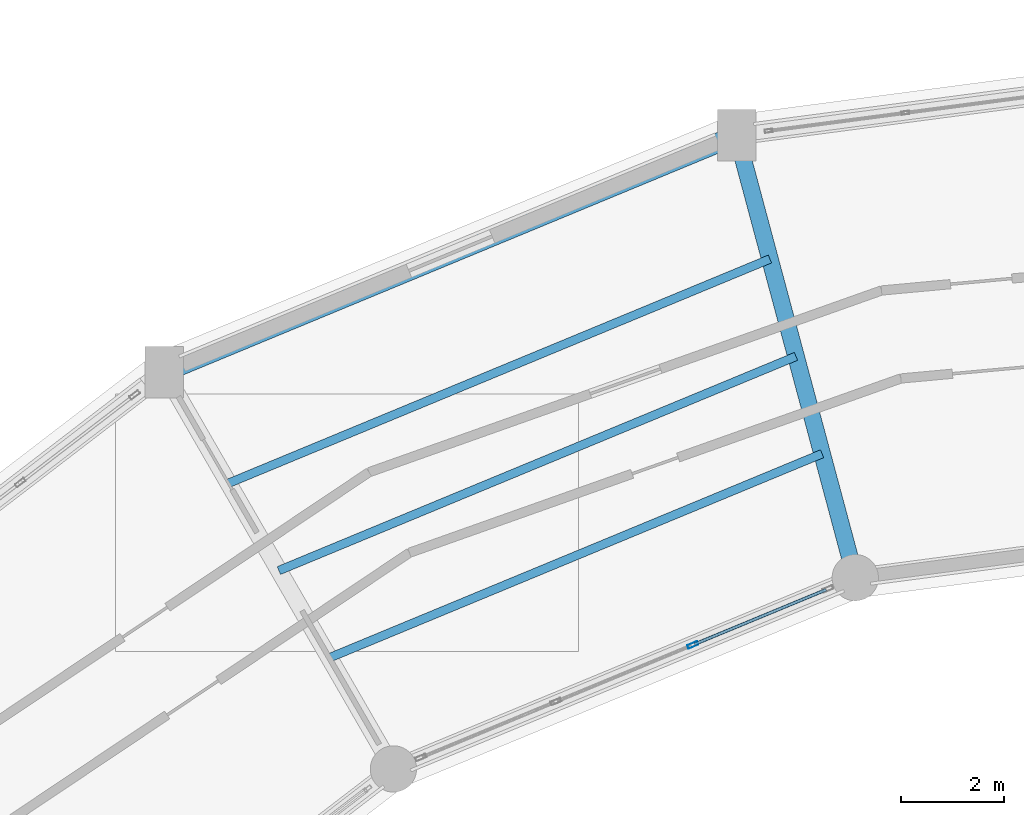
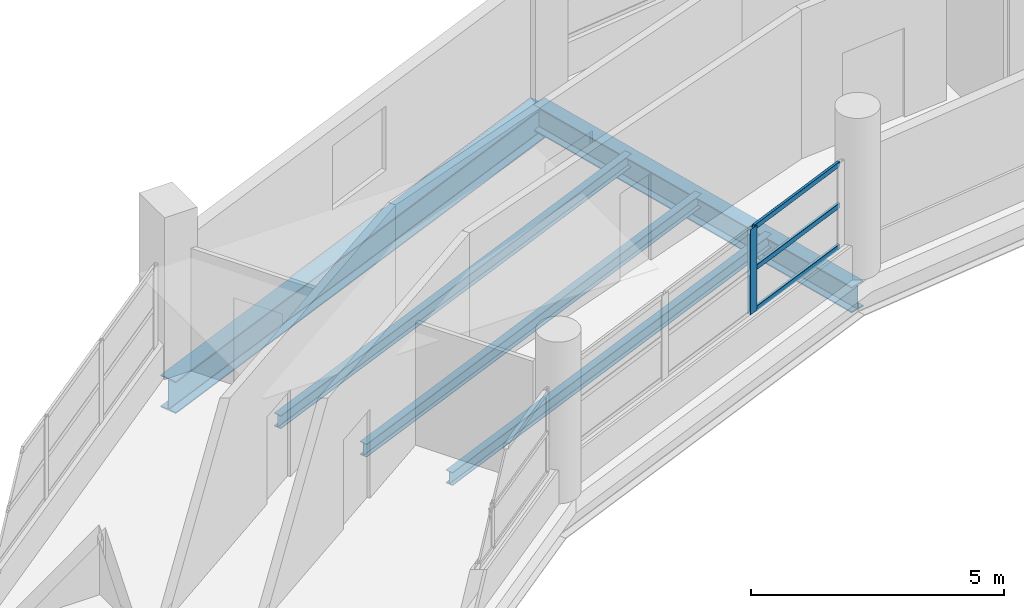
# One storey, part 65 of 108: 5 beams, 4 members, 1 element without a shape of its own.
"""IFC4 building model written with IfcOpenShell, lengths in metres."""

from ifc_helpers import new_model, si_unit, direction, frame, origin, origin_2d, place, context, subcontext, project, spatial, hollow_rectangle, i_section, extrude, material, layer, layer_set, material_profile, profile_set, type_object, element, aggregate, save


model = new_model("IFC4")

# Units and contexts
model_context = context("Model", 3, precision=1e-05, world=origin(), true_north=direction((0.0, 1.0)))
body_context = subcontext(model_context, "Body", "Model", "MODEL_VIEW")
ifc_project = project(units=[si_unit("LENGTHUNIT", "METRE"), si_unit("AREAUNIT", "SQUARE_METRE"), si_unit("VOLUMEUNIT", "CUBIC_METRE"), si_unit("PLANEANGLEUNIT", "RADIAN"), si_unit("MASSUNIT", "GRAM", prefix="KILO")], contexts=[model_context])

# Site, building, storey
site_placement = place(None, origin())
site = spatial("IfcSite", under=ifc_project, at=site_placement, CompositionType="ELEMENT")
building_placement = place(site_placement, origin())
building = spatial("IfcBuilding", under=site, at=building_placement, Name="Vespera Passage Community Centre", CompositionType="ELEMENT")
storey_placement = place(building_placement, frame((0.0, 0.0, 12.60009765625)))
storey = spatial("IfcBuildingStorey", under=building, at=storey_placement, Name="L03", CompositionType="ELEMENT", Elevation=12.60009765625)

# Beams
ifc_material_1 = material(Name="Steel ASTM A992 Grade 50", Category="steel")
ifc_material_profile_1 = material_profile(ifc_material_1, i_section(OverallWidth=0.32763671875, OverallDepth=0.62841796875, WebThickness=0.0166015625, FlangeThickness=0.027587890625, FilletRadius=0.0126953125, at=origin_2d()), Name="W24X146")
ifc_profile_set_1 = profile_set([ifc_material_profile_1], Name="Steel ASTM A992 Grade 50")
beam_type_1 = type_object("IfcBeamType", Name="BM-G-W24X146", PredefinedType="BEAM", material=ifc_profile_set_1)
beam_1_placement = place(storey_placement, frame((68.371826171875, 101.432373046875, -0.71435546875), z_axis=(-0.258811497245, 0.9659278487, 0.0), x_axis=(-0.9659278487, -0.258811497245, 0.0)))
element("IfcBeam", 1, at=beam_1_placement, inside=storey, type_object=beam_type_1, Name="V4 L03 Radial Girder 7", PredefinedType="BEAM", context=body_context, shape_type="SweptSolid", body=[
    extrude(i_section(OverallWidth=0.32763671875, OverallDepth=0.62841796875, WebThickness=0.0166015625, FlangeThickness=0.027587890625, FilletRadius=0.0126953125, at=origin_2d()), origin(), (0.0, 0.0, 1.0), 8.900146484375),
])
ifc_material_2 = material(Name="Steel ASTM A992 Grade 50", Category="steel")
ifc_material_profile_2 = material_profile(ifc_material_2, i_section(OverallWidth=0.16650390625, OverallDepth=0.3173828125, WebThickness=0.007568359375, FlangeThickness=0.01318359375, FilletRadius=0.007568359375, at=origin_2d()), Name="W12X35")
ifc_profile_set_2 = profile_set([ifc_material_profile_2], Name="Steel ASTM A992 Grade 50")
beam_type_2 = type_object("IfcBeamType", Name="BM-J-W12X35", PredefinedType="JOIST", material=ifc_profile_set_2)
beam_2_placement = place(storey_placement, frame((67.726806640625, 103.839599609375, -0.558837890625), z_axis=(-0.923873815861, -0.382697233288, 0.0), x_axis=(0.382697233288, -0.923873815861, 0.0)))
element("IfcBeam", 2, at=beam_2_placement, inside=storey, type_object=beam_type_2, Name="V4 L03 Floor Joist 7.1", PredefinedType="JOIST", context=body_context, shape_type="SweptSolid", body=[
    extrude(i_section(OverallWidth=0.16650390625, OverallDepth=0.3173828125, WebThickness=0.007568359375, FlangeThickness=0.01318359375, FilletRadius=0.007568359375, at=origin_2d()), origin(), (0.0, 0.0, 1.0), 10.361572265625),
])
beam_3_placement = place(storey_placement, frame((67.22021484375, 105.730712890625, -0.558837890625), z_axis=(-0.923886018589, -0.382667773212, 0.0), x_axis=(0.382667773212, -0.923886018589, 0.0)))
element("IfcBeam", 3, at=beam_3_placement, inside=storey, type_object=beam_type_2, Name="V4 L03 Floor Joist 7.2", PredefinedType="JOIST", context=body_context, shape_type="SweptSolid", body=[
    extrude(i_section(OverallWidth=0.16650390625, OverallDepth=0.3173828125, WebThickness=0.007568359375, FlangeThickness=0.01318359375, FilletRadius=0.007568359375, at=origin_2d()), origin(), (0.0, 0.0, 1.0), 10.872802734375),
])
beam_4_placement = place(storey_placement, frame((66.71337890625, 107.6220703125, -0.558837890625), z_axis=(-0.923878820173, -0.382685152097, 0.0), x_axis=(0.382685152097, -0.923878820173, 0.0)))
element("IfcBeam", 4, at=beam_4_placement, inside=storey, type_object=beam_type_2, Name="V4 L03 Floor Joist 7.3", PredefinedType="JOIST", context=body_context, shape_type="SweptSolid", body=[
    extrude(i_section(OverallWidth=0.16650390625, OverallDepth=0.3173828125, WebThickness=0.007568359375, FlangeThickness=0.01318359375, FilletRadius=0.007568359375, at=origin_2d()), origin(), (0.0, 0.0, 1.0), 11.3837890625),
])
ifc_material_3 = material(Name="Steel ASTM A992 Grade 50", Category="steel")
ifc_material_profile_3 = material_profile(ifc_material_3, i_section(OverallWidth=0.382080078125, OverallDepth=0.779296875, WebThickness=0.01806640625, FlangeThickness=0.030029296875, FilletRadius=0.0166015625, at=origin_2d()), Name="W30X191")
ifc_profile_set_3 = profile_set([ifc_material_profile_3], Name="Steel ASTM A992 Grade 50")
beam_type_3 = type_object("IfcBeamType", Name="BM-SP-W30X191E", PredefinedType="SPANDREL", material=ifc_profile_set_3)
beam_5_placement = place(storey_placement, frame((66.068359375, 110.029296875, -0.789794921875), z_axis=(-0.923877379647, -0.382688629799, 0.0), x_axis=(0.382688629799, -0.923877379647, 0.0)))
element("IfcBeam", 5, at=beam_5_placement, inside=storey, type_object=beam_type_3, Name="V4 L03 Outer Spandrel 7", PredefinedType="SPANDREL", context=body_context, shape_type="SweptSolid", body=[
    extrude(i_section(OverallWidth=0.382080078125, OverallDepth=0.779296875, WebThickness=0.01806640625, FlangeThickness=0.030029296875, FilletRadius=0.0166015625, at=origin_2d()), origin(), (0.0, 0.0, 1.0), 12.034423828125),
])

# Curtain wall, members
ifc_material_4 = material(Name="Anodized aluminium 6063-T6", Category="aluminium")
ifc_layer = layer(ifc_material_4, 0.159912109375)
ifc_layer_set = layer_set([ifc_layer], Name="Anodized aluminium 6063-T6")
curtain_wall_type = type_object("IfcCurtainWallType", Name="CW-40E", PredefinedType="NOTDEFINED", material=ifc_layer_set)
curtain_wall_placement = place(storey_placement, origin())
curtain_wall = element("IfcCurtainWall", 6, at=curtain_wall_placement, inside=storey, type_object=curtain_wall_type, Name="V4 L03 Inner Court Curtain Wall 7", PredefinedType="NOTDEFINED")
ifc_material_5 = material(Name="Anodized aluminium 6063-T6", Category="aluminium")
ifc_material_profile_4 = material_profile(ifc_material_5, hollow_rectangle(XDim=0.074951171875, YDim=0.2099609375, WallThickness=0.0048828125, InnerFilletRadius=0.00244140625, OuterFilletRadius=0.0048828125, at=origin_2d()), Name="ALU210X75X5")
ifc_profile_set_4 = profile_set([ifc_material_profile_4], Name="Anodized aluminium 6063-T6")
member_type_1 = type_object("IfcMemberType", Name="MB-CWM-210E", PredefinedType="MULLION", material=ifc_profile_set_4)
member_1_placement = place(storey_placement, frame((65.215087890625, 100.124755859375, 0.81982421875), z_axis=(0.0, 0.0, 1.0), x_axis=(0.382690463482, -0.923876620096, 0.0)))
member_1 = element("IfcMember", 7, at=member_1_placement, type_object=member_type_1, Name="CW-40E mullion 2", PredefinedType="MULLION", context=body_context, shape_type="SweptSolid", body=[
    extrude(hollow_rectangle(XDim=0.074951171875, YDim=0.2099609375, WallThickness=0.0048828125, InnerFilletRadius=0.00244140625, OuterFilletRadius=0.0048828125, at=origin_2d()), origin(), (0.0, 0.0, 1.0), 2.049560546875),
])
ifc_material_6 = material(Name="Anodized aluminium 6063-T6", Category="aluminium")
ifc_material_profile_5 = material_profile(ifc_material_6, hollow_rectangle(XDim=0.06005859375, YDim=0.1201171875, WallThickness=0.00390625, InnerFilletRadius=0.001953125, OuterFilletRadius=0.00390625, at=origin_2d()), Name="ALU120X60X4")
ifc_profile_set_5 = profile_set([ifc_material_profile_5], Name="Anodized aluminium 6063-T6")
member_type_2 = type_object("IfcMemberType", Name="MB-CWT-120E", PredefinedType="USERDEFINED", material=ifc_profile_set_5)
member_2_placement = place(storey_placement, frame((67.803955078125, 101.197265625, 0.849853515625), z_axis=(-0.923863992677, -0.382720946689, 0.0), x_axis=(0.382720946689, -0.923863992677, 0.0)))
member_2 = element("IfcMember", 8, at=member_2_placement, type_object=member_type_2, Name="CW-40E transom 1.1", ObjectType="TRANSOM", PredefinedType="USERDEFINED", context=body_context, shape_type="SweptSolid", body=[
    extrude(hollow_rectangle(XDim=0.06005859375, YDim=0.1201171875, WallThickness=0.00390625, InnerFilletRadius=0.001953125, OuterFilletRadius=0.00390625, at=origin_2d()), origin(), (0.0, 0.0, 1.0), 2.7646484375),
])
member_3_placement = place(storey_placement, frame((67.803955078125, 101.197265625, 1.844482421875), z_axis=(-0.923863992677, -0.382720946689, 0.0), x_axis=(0.382720946689, -0.923863992677, 0.0)))
member_3 = element("IfcMember", 9, at=member_3_placement, type_object=member_type_2, Name="CW-40E transom 1.2", ObjectType="TRANSOM", PredefinedType="USERDEFINED", context=body_context, shape_type="SweptSolid", body=[
    extrude(hollow_rectangle(XDim=0.06005859375, YDim=0.1201171875, WallThickness=0.00390625, InnerFilletRadius=0.001953125, OuterFilletRadius=0.00390625, at=origin_2d()), origin(), (0.0, 0.0, 1.0), 2.7646484375),
])
member_4_placement = place(storey_placement, frame((67.803955078125, 101.197265625, 2.83935546875), z_axis=(-0.923863992677, -0.382720946689, 0.0), x_axis=(0.382720946689, -0.923863992677, 0.0)))
member_4 = element("IfcMember", 10, at=member_4_placement, type_object=member_type_2, Name="CW-40E transom 1.3", ObjectType="TRANSOM", PredefinedType="USERDEFINED", context=body_context, shape_type="SweptSolid", body=[
    extrude(hollow_rectangle(XDim=0.06005859375, YDim=0.1201171875, WallThickness=0.00390625, InnerFilletRadius=0.001953125, OuterFilletRadius=0.00390625, at=origin_2d()), origin(), (0.0, 0.0, 1.0), 2.7646484375),
])
aggregate(curtain_wall, [member_1, member_2, member_3, member_4])

save(model, "model.ifc")
